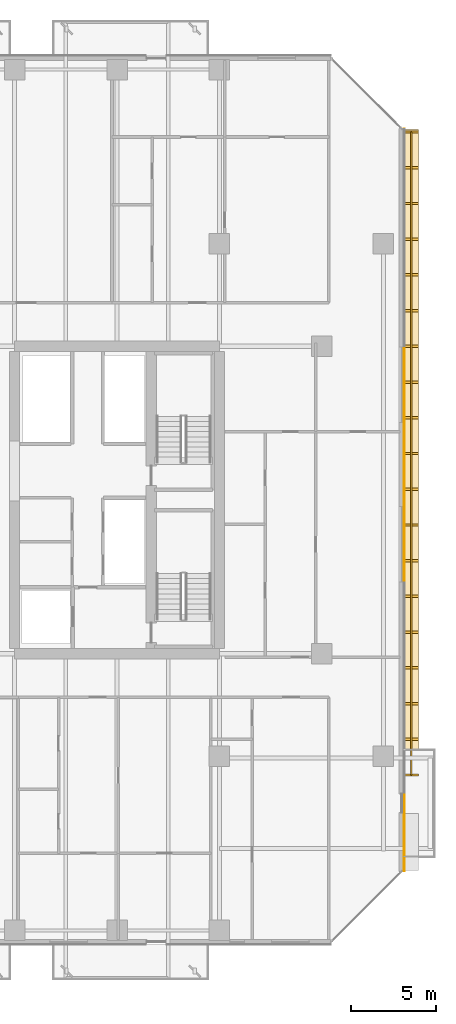
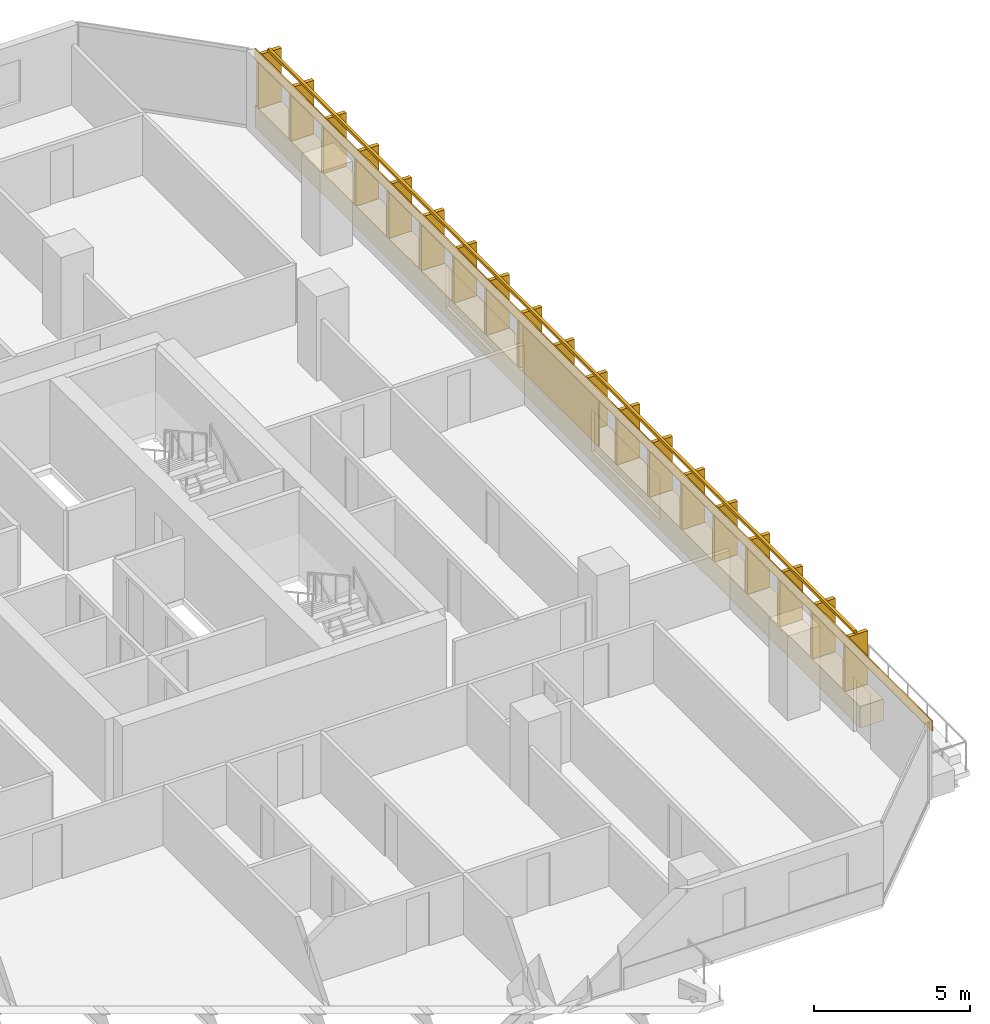
# One storey, part 32 of 33: 3 coverings, 1 railing.
"""IFC4 building model written with IfcOpenShell, lengths in metres."""

from ifc_helpers import new_model, si_unit, direction, frame, origin, origin_2d, place, context, subcontext, project, spatial, rectangle, extrude, material, layer, layer_set, type_object, element, save


model = new_model("IFC4")

# Units and contexts
model_context = context("Model", 3, precision=1e-05, world=origin(), true_north=direction((0.0, 1.0)))
body_context = subcontext(model_context, "Body", "Model", "MODEL_VIEW")
ifc_project = project(units=[si_unit("LENGTHUNIT", "METRE"), si_unit("AREAUNIT", "SQUARE_METRE"), si_unit("VOLUMEUNIT", "CUBIC_METRE"), si_unit("PLANEANGLEUNIT", "RADIAN"), si_unit("MASSUNIT", "GRAM", prefix="KILO")], contexts=[model_context])

# Site, building, storey
site_placement = place(None, origin())
site = spatial("IfcSite", under=ifc_project, at=site_placement, CompositionType="ELEMENT")
building_placement = place(site_placement, origin())
building = spatial("IfcBuilding", under=site, at=building_placement, Name="Tanjung Sevakor Pilgrim Tower", CompositionType="ELEMENT")
storey_placement = place(building_placement, frame((0.0, 0.0, 35.639892578125)))
storey = spatial("IfcBuildingStorey", under=building, at=storey_placement, Name="L09", CompositionType="ELEMENT", Elevation=35.639892578125)

# Coverings
ifc_material_1 = material(Name="Reconstructed Limestone Cladding", Category="masonry")
ifc_layer = layer(ifc_material_1, 0.044921875)
ifc_layer_set = layer_set([ifc_layer], Name="COV-CLAD-LIMESTONE")
covering_type = type_object("IfcCoveringType", Name="COV-CLAD-LIMESTONE", PredefinedType="CLADDING", material=ifc_layer_set)
covering_1_placement = place(storey_placement, frame((101.22998046875, 35.881103515625, 0.01025390625), z_axis=(0.0, 0.0, 1.0), x_axis=(0.0, 1.0, 0.0)))
element("IfcCovering", 1, at=covering_1_placement, inside=storey, type_object=covering_type, Name="L09 Warm Limestone Sill Spandrel EW-L09-MAIN-7-2", PredefinedType="CLADDING", context=body_context, shape_type="SweptSolid", body=[
    extrude(rectangle(XDim=38.842041015625, YDim=0.860107421875, at=origin_2d()), origin(), (0.0, 0.0, 1.0), 0.840087890625),
])
covering_2_placement = place(storey_placement, frame((100.822509765625, 33.60009765625, 2.66015625), z_axis=(0.0, 0.0, 1.0), x_axis=(0.0, 1.0, 0.0)))
element("IfcCovering", 2, at=covering_2_placement, inside=storey, type_object=covering_type, Name="L09 Warm Limestone Cornice Spandrel EW-L09-MAIN-7", PredefinedType="CLADDING", context=body_context, shape_type="SweptSolid", body=[
    extrude(rectangle(XDim=43.444091796875, YDim=0.044921875, at=origin_2d()), origin(), (0.0, 0.0, 1.0), 0.409912109375),
])
covering_3_placement = place(storey_placement, frame((100.822509765625, 35.679931640625, 0.85009765625), z_axis=(0.0, 0.0, 1.0), x_axis=(0.0, 1.0, 0.0)))
element("IfcCovering", 3, at=covering_3_placement, inside=storey, type_object=covering_type, Name="L09 Warm Limestone Pier Panel EW-L09-MAIN-7-2", PredefinedType="CLADDING", context=body_context, shape_type="SweptSolid", body=[
    extrude(rectangle(XDim=4.840087890625, YDim=0.044921875, at=origin_2d()), origin(), (0.0, 0.0, 1.0), 1.81005859375),
])

# Railing
ifc_material_2 = material(Name="Anodised Bronze Aluminium 6063-T6", Category="aluminium")
railing_type = type_object("IfcRailingType", Name="RL-FIN-SCREEN", PredefinedType="BALUSTRADE", material=ifc_material_2)
railing_placement = place(storey_placement, frame((101.22509765625, 17.5, 0.840087890625)))
element("IfcRailing", 4, at=railing_placement, inside=storey, type_object=railing_type, Name="L09 Vertical Bronze-Gold Solar Fin Screen FNEND-EW-L09-MAIN-7-1", PredefinedType="BALUSTRADE", context=body_context, shape_type="SweptSolid", body=[
    extrude(rectangle(XDim=0.105, YDim=0.105), frame((0.0, 0.0, 2.157470703125), z_axis=(0.0, 1.0, 0.0), x_axis=(-1.0, 0.0, 0.0)), (0.0, 0.0, 1.0), 37.64208984375),
    extrude(rectangle(XDim=0.85, YDim=0.14), origin(), (0.0, 0.0, 1.0), 2.10498046875),
    extrude(rectangle(XDim=0.85, YDim=0.14), frame((0.0, 2.09130859375, 0.0)), (0.0, 0.0, 1.0), 2.10498046875),
    extrude(rectangle(XDim=0.85, YDim=0.14), frame((0.0, 4.182373046875, 0.0)), (0.0, 0.0, 1.0), 2.10498046875),
    extrude(rectangle(XDim=0.85, YDim=0.14), frame((0.0, 6.273681640625, 0.0)), (0.0, 0.0, 1.0), 2.10498046875),
    extrude(rectangle(XDim=0.85, YDim=0.14), frame((0.0, 8.364990234375, 0.0)), (0.0, 0.0, 1.0), 2.10498046875),
    extrude(rectangle(XDim=0.85, YDim=0.14), frame((0.0, 10.4560546875, 0.0)), (0.0, 0.0, 1.0), 2.10498046875),
    extrude(rectangle(XDim=0.85, YDim=0.14), frame((0.0, 12.54736328125, 0.0)), (0.0, 0.0, 1.0), 2.10498046875),
    extrude(rectangle(XDim=0.85, YDim=0.14), frame((0.0, 14.638671875, 0.0)), (0.0, 0.0, 1.0), 2.10498046875),
    extrude(rectangle(XDim=0.85, YDim=0.14), frame((0.0, 16.729736328125, 0.0)), (0.0, 0.0, 1.0), 2.10498046875),
    extrude(rectangle(XDim=0.85, YDim=0.14), frame((0.0, 18.821044921875, 0.0)), (0.0, 0.0, 1.0), 2.10498046875),
    extrude(rectangle(XDim=0.85, YDim=0.14), frame((0.0, 20.912353515625, 0.0)), (0.0, 0.0, 1.0), 2.10498046875),
    extrude(rectangle(XDim=0.85, YDim=0.14), frame((0.0, 23.00341796875, 0.0)), (0.0, 0.0, 1.0), 2.10498046875),
    extrude(rectangle(XDim=0.85, YDim=0.14), frame((0.0, 25.0947265625, 0.0)), (0.0, 0.0, 1.0), 2.10498046875),
    extrude(rectangle(XDim=0.85, YDim=0.14), frame((0.0, 27.18603515625, 0.0)), (0.0, 0.0, 1.0), 2.10498046875),
    extrude(rectangle(XDim=0.85, YDim=0.14), frame((0.0, 29.277099609375, 0.0)), (0.0, 0.0, 1.0), 2.10498046875),
    extrude(rectangle(XDim=0.85, YDim=0.14), frame((0.0, 31.368408203125, 0.0)), (0.0, 0.0, 1.0), 2.10498046875),
    extrude(rectangle(XDim=0.85, YDim=0.14), frame((0.0, 33.459716796875, 0.0)), (0.0, 0.0, 1.0), 2.10498046875),
    extrude(rectangle(XDim=0.85, YDim=0.14), frame((0.0, 35.55078125, 0.0)), (0.0, 0.0, 1.0), 2.10498046875),
    extrude(rectangle(XDim=0.85, YDim=0.14), frame((0.0, 37.64208984375, 0.0)), (0.0, 0.0, 1.0), 2.10498046875),
])

save(model, "model.ifc")
